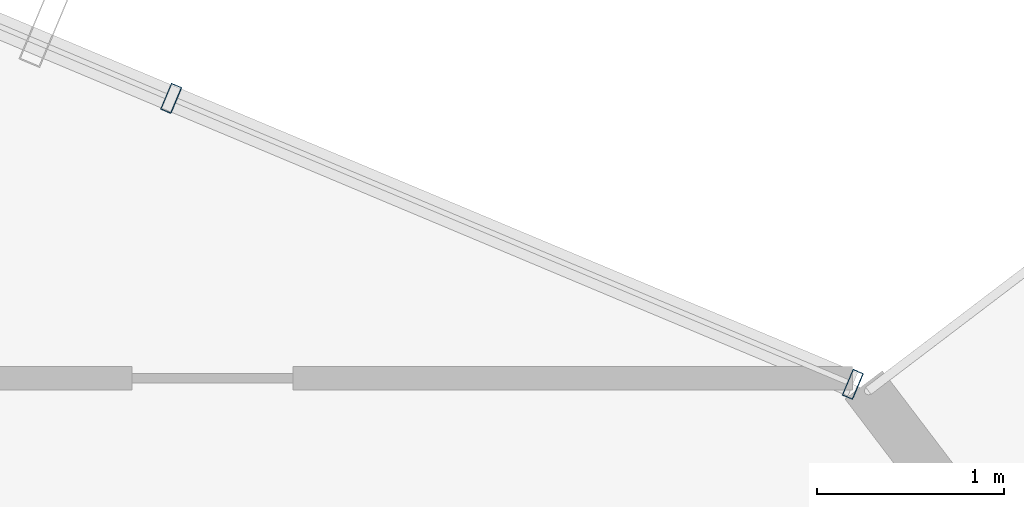
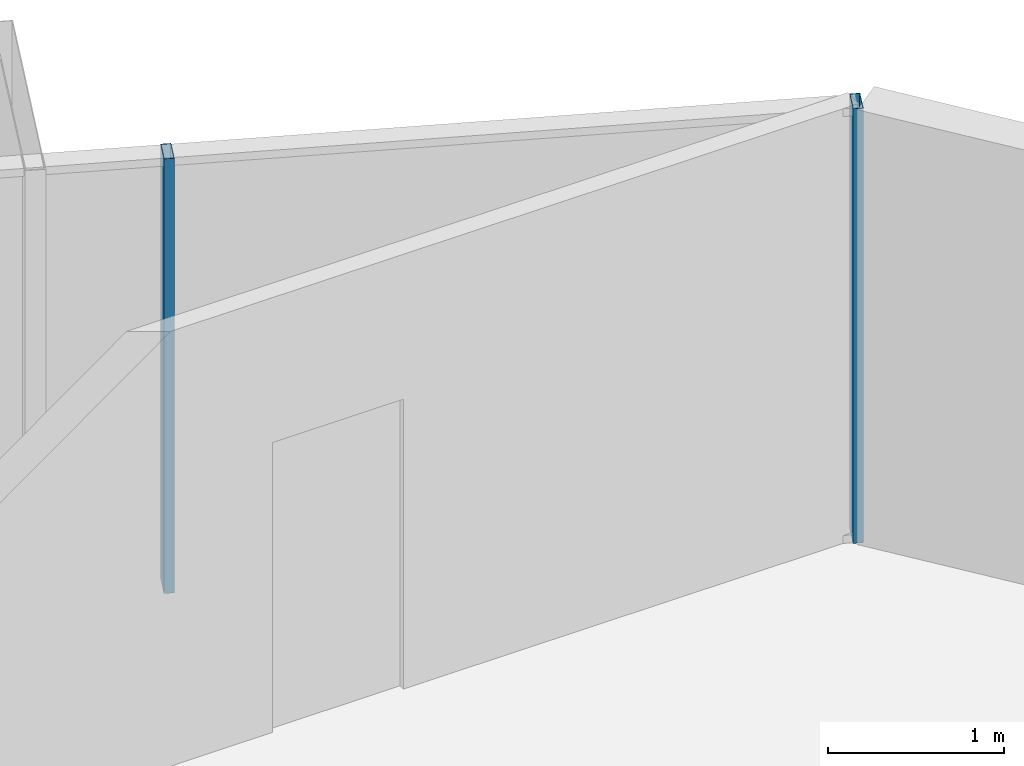
# One storey, part 26 of 32: 2 members, 1 element without a shape of its own.
"""IFC4 building model written with IfcOpenShell, lengths in metres."""

from ifc_helpers import new_model, si_unit, direction, frame, origin, origin_2d, place, context, subcontext, project, spatial, hollow_rectangle, extrude, source, transform, mapped, material, layer, layer_set, material_profile, profile_set, type_object, element, aggregate, save


model = new_model("IFC4")

# Units and contexts
model_context = context("Model", 3, precision=1e-05, world=origin(), true_north=direction((0.0, 1.0)))
body_context = subcontext(model_context, "Body", "Model", "MODEL_VIEW")
ifc_project = project(units=[si_unit("LENGTHUNIT", "METRE"), si_unit("AREAUNIT", "SQUARE_METRE"), si_unit("VOLUMEUNIT", "CUBIC_METRE"), si_unit("PLANEANGLEUNIT", "RADIAN"), si_unit("MASSUNIT", "GRAM", prefix="KILO")], contexts=[model_context])

# Site, building, storey
site_placement = place(None, origin())
site = spatial("IfcSite", under=ifc_project, at=site_placement, CompositionType="ELEMENT")
building_placement = place(site_placement, origin())
building = spatial("IfcBuilding", under=site, at=building_placement, Name="Veraguas Prism Commons", CompositionType="ELEMENT")
storey_placement = place(building_placement, frame((0.0, 0.0, 182.10009765625)))
storey = spatial("IfcBuildingStorey", under=building, at=storey_placement, Name="L51", CompositionType="ELEMENT", Elevation=182.10009765625)

# Curtain wall, members
ifc_material = material(Name="Anodised aluminium EN AW-6063 T6", Category="aluminium")
ifc_layer = layer(ifc_material, 0.14990234375, Name="Unitised Flush Curtain Wall Zone 3", Category="aluminium")
ifc_layer_set = layer_set([ifc_layer], Name="Anodised aluminium EN AW-6063 T6")
curtain_wall_type = type_object("IfcCurtainWallType", Name="Unitised Flush Curtain Wall Zone 3", PredefinedType="NOTDEFINED", material=ifc_layer_set)
curtain_wall_placement = place(storey_placement, origin())
curtain_wall = element("IfcCurtainWall", 1, at=curtain_wall_placement, inside=storey, type_object=curtain_wall_type, Name="Tower Facade Curtain Wall L51-F1", PredefinedType="NOTDEFINED")
ifc_material_profile = material_profile(ifc_material, hollow_rectangle(XDim=0.06005859375, YDim=0.14990234375, WallThickness=0.0029296875, at=origin_2d()), Name="AL60X150X3")
ifc_profile_set = profile_set([ifc_material_profile], Name="Anodised aluminium EN AW-6063 T6")
member_type = type_object("IfcMemberType", Name="Curtain Wall Mullion Upper AL 60x150x3", PredefinedType="MULLION", material=ifc_profile_set)
shared_shape = source(origin(), body_context, "Body", "SweptSolid", [
    extrude(hollow_rectangle(XDim=0.06005859375, YDim=0.14990234375, WallThickness=0.0029296875, at=origin_2d()), origin(), (0.0, 0.0, 1.0), 3.014892578125),
])
member_1_placement = place(storey_placement, frame((38.156005859375, 37.2666015625, 0.0), z_axis=(0.0, 0.0, 1.0), x_axis=(-0.922134139047, 0.386870300752, 0.0)))
member_1 = element("IfcMember", 2, at=member_1_placement, type_object=member_type, Name="CW-Z3 Mullion 1", PredefinedType="MULLION", context=body_context, shape_type="MappedRepresentation", body=[
    mapped(shared_shape, transform((0.0, 0.0, 0.0), scale=1.0)),
])
member_2_placement = place(storey_placement, frame((34.517578125, 38.793212890625, 0.0), z_axis=(0.0, 0.0, 1.0), x_axis=(-0.922134139047, 0.386870300752, 0.0)))
member_2 = element("IfcMember", 3, at=member_2_placement, type_object=member_type, Name="CW-Z3 Mullion 2", PredefinedType="MULLION", context=body_context, shape_type="MappedRepresentation", body=[
    mapped(shared_shape, transform((0.0, 0.0, 0.0), scale=1.0)),
])
aggregate(curtain_wall, [member_1, member_2])

save(model, "model.ifc")
